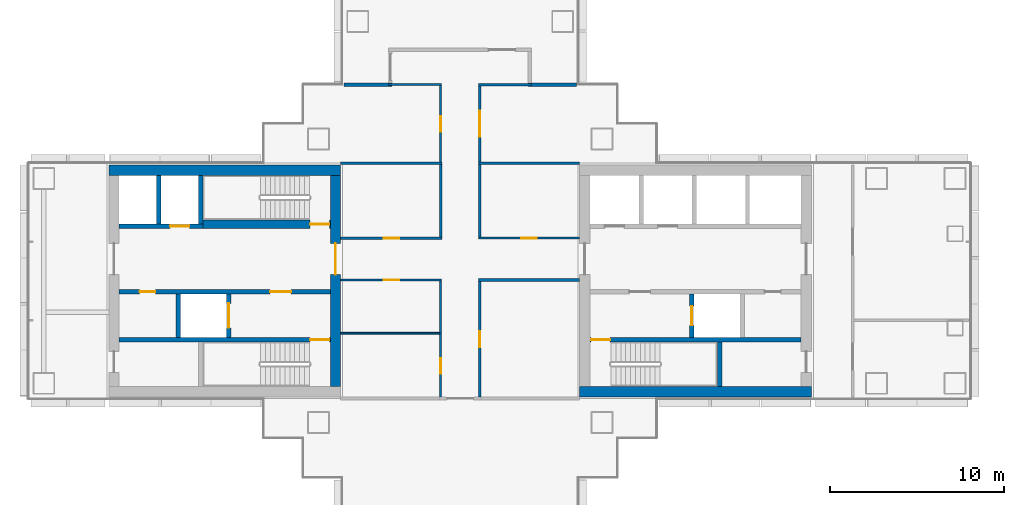
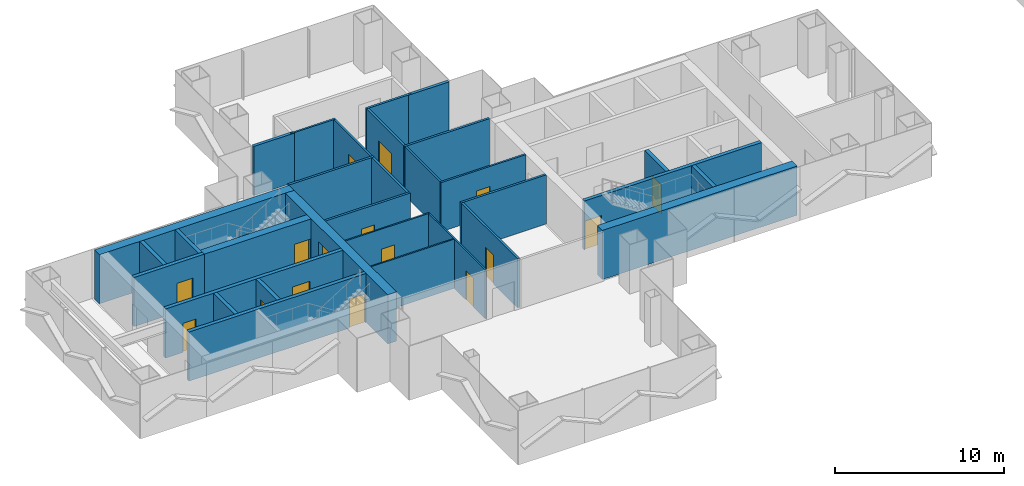
# One storey, part 11 of 19: 31 walls, 16 doors, 16 openings.
"""IFC4 building model written with IfcOpenShell, lengths in metres."""

from ifc_helpers import new_model, si_unit, direction, frame, frame_2d, origin, place, context, subcontext, project, spatial, rectangle, extrude, material, layer, layer_set, type_object, element, fill, save


model = new_model("IFC4")

# Units and contexts
model_context = context("Model", 3, precision=1e-05, world=origin(), true_north=direction((0.0, 1.0)))
body_context = subcontext(model_context, "Body", "Model", "MODEL_VIEW")
ifc_project = project(units=[si_unit("LENGTHUNIT", "METRE"), si_unit("AREAUNIT", "SQUARE_METRE"), si_unit("VOLUMEUNIT", "CUBIC_METRE"), si_unit("PLANEANGLEUNIT", "RADIAN"), si_unit("MASSUNIT", "GRAM", prefix="KILO")], contexts=[model_context])

# Site, building, storey
site_placement = place(None, origin())
site = spatial("IfcSite", under=ifc_project, at=site_placement, CompositionType="ELEMENT")
building_placement = place(site_placement, origin())
building = spatial("IfcBuilding", under=site, at=building_placement, Name="Shamsa Quay Exchange Towers", CompositionType="ELEMENT")
storey_placement = place(building_placement, frame((0.0, 0.0, 89.699951171875)))
storey = spatial("IfcBuildingStorey", under=building, at=storey_placement, Name="L20", CompositionType="ELEMENT", Elevation=89.699951171875)

# Walls
ifc_material_1 = material(Name="Double-leaf gypsum board partition with acoustic insulation")
ifc_layer_1 = layer(ifc_material_1, 0.199951171875)
ifc_layer_set_1 = layer_set([ifc_layer_1], Name="Acoustic partition 200 mm EI 60")
wall_type_1 = type_object("IfcWallType", Name="Acoustic partition 200 mm EI 60", PredefinedType="PARTITIONING", material=ifc_layer_set_1)
for number, where, z_axis, x_axis, name in (
    (1, (-27.094970703125, 11.25, 0.0), (0.0, 0.0, 1.0), (-1.0, 0.0, 0.0), "Partition T1-R09-W23"),
    (2, (-37.64990234375, 11.25, 0.0), (0.0, 0.0, 1.0), (-1.0, 0.0, 0.0), "Partition T1-R09-W24"),
):
    element("IfcWall", number, at=place(storey_placement, frame(where, z_axis=z_axis, x_axis=x_axis)), inside=storey, type_object=wall_type_1, Name=name, PredefinedType="PARTITIONING", context=body_context, shape_type="SweptSolid", body=[
        extrude(rectangle(XDim=2.755126953125, YDim=0.199951171875, at=frame_2d((1.37744140625, 0.0))), origin(), (0.0, 0.0, 1.0), 3.550048828125),
    ])
ifc_material_2 = material(Name="Concrete C70/85", Category="concrete")
ifc_layer_2 = layer(ifc_material_2, 0.60009765625)
ifc_layer_set_2 = layer_set([ifc_layer_2], Name="CORE WALL 600 C70/85")
wall_type_2 = type_object("IfcWallType", Name="CORE WALL 600 C70/85", PredefinedType="SHEAR", material=ifc_layer_set_2)
wall_1_placement = place(storey_placement, frame((-26.89990234375, -6.35009765625, 0.0)))
element("IfcWall", 3, at=wall_1_placement, inside=storey, type_object=wall_type_2, Name="Core wall T1A-R09-PS", PredefinedType="SHEAR", context=body_context, shape_type="SweptSolid", body=[
    extrude(rectangle(XDim=13.2998046875, YDim=0.60009765625, at=frame_2d((6.64990234375, 0.0))), origin(), (0.0, 0.0, 1.0), 3.550048828125),
])
wall_2_placement = place(storey_placement, frame((-40.60009765625, 6.35009765625, 0.0), z_axis=(0.0, 0.0, 1.0), x_axis=(-1.0, 0.0, 0.0)))
element("IfcWall", 4, at=wall_2_placement, inside=storey, type_object=wall_type_2, Name="Core wall T1B-R09-PN", PredefinedType="SHEAR", context=body_context, shape_type="SweptSolid", body=[
    extrude(rectangle(XDim=13.2998046875, YDim=0.60009765625, at=frame_2d((6.64990234375, 0.0))), origin(), (0.0, 0.0, 1.0), 3.550048828125),
])

# Wall, opening, door
wall_3_placement = place(storey_placement, frame((-40.89990234375, -6.050048828125, 0.0), z_axis=(0.0, 0.0, 1.0), x_axis=(0.0, 1.0, 0.0)))
wall_3 = element("IfcWall", 5, at=wall_3_placement, inside=storey, type_object=wall_type_2, Name="Core wall T1B-R09-PF", PredefinedType="SHEAR", context=body_context, shape_type="SweptSolid", body=[
    extrude(rectangle(XDim=12.10009765625, YDim=0.60009765625, at=frame_2d((6.050048828125, 0.0))), origin(), (0.0, 0.0, 1.0), 3.550048828125),
])
opening_1_placement = place(wall_3_placement, frame((6.39990234375, 0.0, 0.0)))
opening_1 = element("IfcOpeningElement", 6, at=opening_1_placement, cuts=wall_3, Name="Opening T1B-R09-LBD01", PredefinedType="OPENING", context=body_context, shape_type="SweptSolid", body=[
    extrude(rectangle(XDim=1.800048828125, YDim=2.39990234375, at=frame_2d((0.89990234375, 1.199951171875))), frame((0.0, 0.31005859375, 0.0), z_axis=(0.0, -1.0, 0.0), x_axis=(1.0, 0.0, 0.0)), (0.0, 0.0, 1.0), 0.6201171875),
])
ifc_material_3 = material(Name="Steel, fire rated", Category="steel")
door_type_1 = type_object("IfcDoorType", Name="LIFT LOBBY DOOR PAIR 1800", OperationType="DOUBLE_DOOR_SINGLE_SWING", PredefinedType="DOOR", material=ifc_material_3)
door_1_placement = place(opening_1_placement, origin())
door_1 = element("IfcDoor", 7, at=door_1_placement, inside=storey, type_object=door_type_1, Name="T1B-R09-LBD01", OperationType="DOUBLE_DOOR_SINGLE_SWING", OverallHeight=2.39990234375, OverallWidth=1.800048828125, PredefinedType="DOOR", context=body_context, shape_type="SweptSolid", body=[
    extrude(rectangle(XDim=1.800048828125, YDim=2.39990234375, at=frame_2d((0.89990234375, 1.199951171875))), frame((0.0, 0.02490234375, 0.0), z_axis=(0.0, -1.0, 0.0), x_axis=(1.0, 0.0, 0.0)), (0.0, 0.0, 1.0), 0.050048828125),
])
fill(opening_1, door_1)

# Wall
ifc_material_4 = material(Name="Laminated fire-resisting glass in a metal frame", Category="glass")
ifc_layer_3 = layer(ifc_material_4, 0.125)
ifc_layer_set_3 = layer_set([ifc_layer_3], Name="Glazed partition 125 mm EI 60")
wall_type_3 = type_object("IfcWallType", Name="Glazed partition 125 mm EI 60", PredefinedType="PARTITIONING", material=ifc_layer_set_3)
wall_4_placement = place(storey_placement, frame((-32.625, 6.675048828125, 0.0), z_axis=(0.0, 0.0, 1.0), x_axis=(0.0, -1.0, 0.0)))
element("IfcWall", 8, at=wall_4_placement, inside=storey, type_object=wall_type_3, Name="Partition T1-R09-W01", PredefinedType="PARTITIONING", context=body_context, shape_type="SweptSolid", body=[
    extrude(rectangle(XDim=4.162353515625, YDim=0.125, at=frame_2d((2.0810546875, 0.0))), origin(), (0.0, 0.0, 1.0), 3.550048828125),
])

# Wall, opening, door
wall_5_placement = place(storey_placement, frame((-32.6875, 2.4501953125, 0.0)))
wall_5 = element("IfcWall", 9, at=wall_5_placement, inside=storey, type_object=wall_type_3, Name="Partition T1-R09-W02", PredefinedType="PARTITIONING", context=body_context, shape_type="SweptSolid", body=[
    extrude(rectangle(XDim=5.78759765625, YDim=0.125, at=frame_2d((2.893798828125, 0.0))), origin(), (0.0, 0.0, 1.0), 3.550048828125),
])
opening_2_placement = place(wall_5_placement, frame((2.425048828125, 0.0, 0.0)))
opening_2 = element("IfcOpeningElement", 10, at=opening_2_placement, cuts=wall_5, Name="Opening T1-R09-D08", PredefinedType="OPENING", context=body_context, shape_type="SweptSolid", body=[
    extrude(rectangle(XDim=0.89990234375, YDim=2.10009765625, at=frame_2d((0.449951171875, 1.050048828125))), frame((0.0, 0.072509765625, 0.0), z_axis=(0.0, -1.0, 0.0), x_axis=(1.0, 0.0, 0.0)), (0.0, 0.0, 1.0), 0.14501953125),
])
ifc_material_5 = material(Name="Timber door leaf in a metal frame", Category="wood")
door_type_2 = type_object("IfcDoorType", Name="Door 900x2100 FD30S", OperationType="NOTDEFINED", PredefinedType="DOOR", material=ifc_material_5)
door_2_placement = place(opening_2_placement, origin())
door_2 = element("IfcDoor", 11, at=door_2_placement, inside=storey, type_object=door_type_2, Name="Door T1-R09-D08", OperationType="SINGLE_SWING_RIGHT", OverallHeight=2.10009765625, OverallWidth=0.89990234375, PredefinedType="DOOR", context=body_context, shape_type="SweptSolid", body=[
    extrude(rectangle(XDim=0.89990234375, YDim=2.10009765625, at=frame_2d((0.449951171875, 1.050048828125))), frame((0.0, 0.02490234375, 0.0), z_axis=(0.0, -1.0, 0.0), x_axis=(1.0, 0.0, 0.0)), (0.0, 0.0, 1.0), 0.050048828125),
])
fill(opening_2, door_2)

wall_6_placement = place(storey_placement, frame((-34.875, 6.824951171875, 0.0), z_axis=(0.0, 0.0, 1.0), x_axis=(0.0, 1.0, 0.0)))
wall_6 = element("IfcWall", 12, at=wall_6_placement, inside=storey, type_object=wall_type_3, Name="Partition T1-R09-W11", PredefinedType="PARTITIONING", context=body_context, shape_type="SweptSolid", body=[
    extrude(rectangle(XDim=4.362548828125, YDim=0.125, at=frame_2d((2.18115234375, 0.0))), origin(), (0.0, 0.0, 1.0), 3.550048828125),
])
opening_3_placement = place(wall_6_placement, frame((1.72509765625, 0.0, 0.0)))
opening_3 = element("IfcOpeningElement", 13, at=opening_3_placement, cuts=wall_6, Name="Opening T1-R09-D05", PredefinedType="OPENING", context=body_context, shape_type="SweptSolid", body=[
    extrude(rectangle(XDim=0.89990234375, YDim=2.10009765625, at=frame_2d((0.449951171875, 1.050048828125))), frame((0.0, 0.072509765625, 0.0), z_axis=(0.0, -1.0, 0.0), x_axis=(1.0, 0.0, 0.0)), (0.0, 0.0, 1.0), 0.14501953125),
])
door_3_placement = place(opening_3_placement, origin())
door_3 = element("IfcDoor", 14, at=door_3_placement, inside=storey, type_object=door_type_2, Name="Door T1-R09-D05", OperationType="SINGLE_SWING_LEFT", OverallHeight=2.10009765625, OverallWidth=0.89990234375, PredefinedType="DOOR", context=body_context, shape_type="SweptSolid", body=[
    extrude(rectangle(XDim=0.89990234375, YDim=2.10009765625, at=frame_2d((0.449951171875, 1.050048828125))), frame((0.0, 0.02490234375, 0.0), z_axis=(0.0, -1.0, 0.0), x_axis=(1.0, 0.0, 0.0)), (0.0, 0.0, 1.0), 0.050048828125),
])
fill(opening_3, door_3)

# Wall
wall_7_placement = place(storey_placement, frame((-34.8125, 11.25, 0.0), z_axis=(0.0, 0.0, 1.0), x_axis=(-1.0, 0.0, 0.0)))
element("IfcWall", 15, at=wall_7_placement, inside=storey, type_object=wall_type_3, Name="Partition T1-R09-W12", PredefinedType="PARTITIONING", context=body_context, shape_type="SweptSolid", body=[
    extrude(rectangle(XDim=3.03759765625, YDim=0.125, at=frame_2d((1.518798828125, 0.0))), origin(), (0.0, 0.0, 1.0), 3.550048828125),
])

# Wall, opening, door
ifc_material_6 = material(Name="Gypsum board partition on metal studs")
ifc_layer_4 = layer(ifc_material_6, 0.10009765625)
ifc_layer_set_4 = layer_set([ifc_layer_4], Name="Partition 100 mm NOT RATED")
wall_type_4 = type_object("IfcWallType", Name="Partition 100 mm NOT RATED", PredefinedType="PARTITIONING", material=ifc_layer_set_4)
wall_8_placement = place(storey_placement, frame((-34.875, -6.675048828125, 0.0), z_axis=(0.0, 0.0, 1.0), x_axis=(0.0, 1.0, 0.0)))
wall_8 = element("IfcWall", 16, at=wall_8_placement, inside=storey, type_object=wall_type_4, Name="Partition T1-R09-W08", PredefinedType="PARTITIONING", context=body_context, shape_type="SweptSolid", body=[
    extrude(rectangle(XDim=6.6748046875, YDim=0.10009765625, at=frame_2d((3.33740234375, 0.0))), origin(), (0.0, 0.0, 1.0), 3.550048828125),
])
opening_4_placement = place(wall_8_placement, frame((1.35009765625, 0.0, 0.0)))
opening_4 = element("IfcOpeningElement", 17, at=opening_4_placement, cuts=wall_8, Name="Opening T1-R09-D03", PredefinedType="OPENING", context=body_context, shape_type="SweptSolid", body=[
    extrude(rectangle(XDim=0.89990234375, YDim=2.10009765625, at=frame_2d((0.449951171875, 1.050048828125))), frame((0.0, 0.06005859375, 0.0), z_axis=(0.0, -1.0, 0.0), x_axis=(1.0, 0.0, 0.0)), (0.0, 0.0, 1.0), 0.1201171875),
])
door_type_3 = type_object("IfcDoorType", Name="Door 900x2100 NOT RATED", OperationType="NOTDEFINED", PredefinedType="DOOR", material=ifc_material_5)
door_4_placement = place(opening_4_placement, origin())
door_4 = element("IfcDoor", 18, at=door_4_placement, inside=storey, type_object=door_type_3, Name="Door T1-R09-D03", OperationType="SINGLE_SWING_RIGHT", OverallHeight=2.10009765625, OverallWidth=0.89990234375, PredefinedType="DOOR", context=body_context, shape_type="SweptSolid", body=[
    extrude(rectangle(XDim=0.89990234375, YDim=2.10009765625, at=frame_2d((0.449951171875, 1.050048828125))), frame((0.0, 0.02490234375, 0.0), z_axis=(0.0, -1.0, 0.0), x_axis=(1.0, 0.0, 0.0)), (0.0, 0.0, 1.0), 0.050048828125),
])
fill(opening_4, door_4)

wall_9_placement = place(storey_placement, frame((-34.824951171875, 0.0498046875, 0.0), z_axis=(0.0, 0.0, 1.0), x_axis=(-1.0, 0.0, 0.0)))
wall_9 = element("IfcWall", 19, at=wall_9_placement, inside=storey, type_object=wall_type_4, Name="Partition T1-R09-W09", PredefinedType="PARTITIONING", context=body_context, shape_type="SweptSolid", body=[
    extrude(rectangle(XDim=5.775146484375, YDim=0.10009765625, at=frame_2d((2.8876953125, 0.0))), origin(), (0.0, 0.0, 1.0), 3.550048828125),
])
opening_5_placement = place(wall_9_placement, frame((2.41259765625, 0.0, 0.0)))
opening_5 = element("IfcOpeningElement", 20, at=opening_5_placement, cuts=wall_9, Name="Opening T1-R09-D04", PredefinedType="OPENING", context=body_context, shape_type="SweptSolid", body=[
    extrude(rectangle(XDim=0.89990234375, YDim=2.10009765625, at=frame_2d((0.449951171875, 1.050048828125))), frame((0.0, 0.06005859375, 0.0), z_axis=(0.0, -1.0, 0.0), x_axis=(1.0, 0.0, 0.0)), (0.0, 0.0, 1.0), 0.1201171875),
])
door_5_placement = place(opening_5_placement, origin())
door_5 = element("IfcDoor", 21, at=door_5_placement, inside=storey, type_object=door_type_3, Name="Door T1-R09-D04", OperationType="SINGLE_SWING_LEFT", OverallHeight=2.10009765625, OverallWidth=0.89990234375, PredefinedType="DOOR", context=body_context, shape_type="SweptSolid", body=[
    extrude(rectangle(XDim=0.89990234375, YDim=2.10009765625, at=frame_2d((0.449951171875, 1.050048828125))), frame((0.0, 0.02490234375, 0.0), z_axis=(0.0, -1.0, 0.0), x_axis=(1.0, 0.0, 0.0)), (0.0, 0.0, 1.0), 0.050048828125),
])
fill(opening_5, door_5)

# Walls
wall_10_placement = place(storey_placement, frame((-34.925048828125, -3.0, 0.0), z_axis=(0.0, 0.0, 1.0), x_axis=(-1.0, 0.0, 0.0)))
element("IfcWall", 22, at=wall_10_placement, inside=storey, type_object=wall_type_4, Name="Partition T1-R09-W22", PredefinedType="PARTITIONING", context=body_context, shape_type="SweptSolid", body=[
    extrude(rectangle(XDim=5.675048828125, YDim=0.10009765625, at=frame_2d((2.83740234375, 0.0))), origin(), (0.0, 0.0, 1.0), 3.550048828125),
])
ifc_layer_5 = layer(ifc_material_6, 0.14990234375)
ifc_layer_set_5 = layer_set([ifc_layer_5], Name="Partition 150 mm EI 60")
wall_type_5 = type_object("IfcWallType", Name="Partition 150 mm EI 60", PredefinedType="PARTITIONING", material=ifc_layer_set_5)
wall_11_placement = place(storey_placement, frame((-26.89990234375, 0.0498046875, 0.0), z_axis=(0.0, 0.0, 1.0), x_axis=(-1.0, 0.0, 0.0)))
element("IfcWall", 23, at=wall_11_placement, inside=storey, type_object=wall_type_5, Name="Partition T1-R09-W03", PredefinedType="PARTITIONING", context=body_context, shape_type="SweptSolid", body=[
    extrude(rectangle(XDim=5.800048828125, YDim=0.14990234375, at=frame_2d((2.89990234375, 0.0))), origin(), (0.0, 0.0, 1.0), 3.550048828125),
])

# Wall, opening, door
wall_12_placement = place(storey_placement, frame((-32.625, 11.175048828125, 0.0), z_axis=(0.0, 0.0, 1.0), x_axis=(0.0, -1.0, 0.0)))
wall_12 = element("IfcWall", 24, at=wall_12_placement, inside=storey, type_object=wall_type_5, Name="Partition T1-R09-W04", PredefinedType="PARTITIONING", context=body_context, shape_type="SweptSolid", body=[
    extrude(rectangle(XDim=4.35009765625, YDim=0.14990234375, at=frame_2d((2.175048828125, 0.0))), origin(), (0.0, 0.0, 1.0), 3.550048828125),
])
opening_6_placement = place(wall_12_placement, frame((1.425048828125, 0.0, 0.0)))
opening_6 = element("IfcOpeningElement", 25, at=opening_6_placement, cuts=wall_12, Name="Opening T1-R09-D09", PredefinedType="OPENING", context=body_context, shape_type="SweptSolid", body=[
    extrude(rectangle(XDim=1.5, YDim=2.10009765625, at=frame_2d((0.75, 1.050048828125))), frame((0.0, 0.0849609375, 0.0), z_axis=(0.0, -1.0, 0.0), x_axis=(1.0, 0.0, 0.0)), (0.0, 0.0, 1.0), 0.169921875),
])
door_type_4 = type_object("IfcDoorType", Name="Door 1500x2100 FD30S pair", OperationType="NOTDEFINED", PredefinedType="DOOR", material=ifc_material_5)
door_6_placement = place(opening_6_placement, origin())
door_6 = element("IfcDoor", 26, at=door_6_placement, inside=storey, type_object=door_type_4, Name="Door T1-R09-D09", OperationType="DOUBLE_DOOR_SINGLE_SWING", OverallHeight=2.10009765625, OverallWidth=1.5, PredefinedType="DOOR", context=body_context, shape_type="SweptSolid", body=[
    extrude(rectangle(XDim=1.5, YDim=2.10009765625, at=frame_2d((0.75, 1.050048828125))), frame((0.0, 0.02490234375, 0.0), z_axis=(0.0, -1.0, 0.0), x_axis=(1.0, 0.0, 0.0)), (0.0, 0.0, 1.0), 0.050048828125),
])
fill(opening_6, door_6)

wall_13_placement = place(storey_placement, frame((-32.625, -0.025146484375, 0.0), z_axis=(0.0, 0.0, 1.0), x_axis=(0.0, -1.0, 0.0)))
wall_13 = element("IfcWall", 27, at=wall_13_placement, inside=storey, type_object=wall_type_5, Name="Partition T1-R09-W05", PredefinedType="PARTITIONING", context=body_context, shape_type="SweptSolid", body=[
    extrude(rectangle(XDim=6.64990234375, YDim=0.14990234375, at=frame_2d((3.324951171875, 0.0))), origin(), (0.0, 0.0, 1.0), 3.550048828125),
])
opening_7_placement = place(wall_13_placement, frame((2.875, 0.0, 0.0)))
opening_7 = element("IfcOpeningElement", 28, at=opening_7_placement, cuts=wall_13, Name="Opening T1-R09-D07", PredefinedType="OPENING", context=body_context, shape_type="SweptSolid", body=[
    extrude(rectangle(XDim=0.89990234375, YDim=2.10009765625, at=frame_2d((0.449951171875, 1.050048828125))), frame((0.0, 0.0849609375, 0.0), z_axis=(0.0, -1.0, 0.0), x_axis=(1.0, 0.0, 0.0)), (0.0, 0.0, 1.0), 0.169921875),
])
door_7_placement = place(opening_7_placement, origin())
door_7 = element("IfcDoor", 29, at=door_7_placement, inside=storey, type_object=door_type_2, Name="Door T1-R09-D07", OperationType="SINGLE_SWING_LEFT", OverallHeight=2.10009765625, OverallWidth=0.89990234375, PredefinedType="DOOR", context=body_context, shape_type="SweptSolid", body=[
    extrude(rectangle(XDim=0.89990234375, YDim=2.10009765625, at=frame_2d((0.449951171875, 1.050048828125))), frame((0.0, 0.02490234375, 0.0), z_axis=(0.0, -1.0, 0.0), x_axis=(1.0, 0.0, 0.0)), (0.0, 0.0, 1.0), 0.050048828125),
])
fill(opening_7, door_7)

wall_14_placement = place(storey_placement, frame((-40.60009765625, 2.4501953125, 0.0)))
wall_14 = element("IfcWall", 30, at=wall_14_placement, inside=storey, type_object=wall_type_5, Name="Partition T1-R09-W06", PredefinedType="PARTITIONING", context=body_context, shape_type="SweptSolid", body=[
    extrude(rectangle(XDim=5.800048828125, YDim=0.14990234375, at=frame_2d((2.89990234375, 0.0))), origin(), (0.0, 0.0, 1.0), 3.550048828125),
])
opening_8_placement = place(wall_14_placement, frame((2.46240234375, 0.0, 0.0)))
opening_8 = element("IfcOpeningElement", 31, at=opening_8_placement, cuts=wall_14, Name="Opening T1-R09-D01", PredefinedType="OPENING", context=body_context, shape_type="SweptSolid", body=[
    extrude(rectangle(XDim=0.89990234375, YDim=2.10009765625, at=frame_2d((0.449951171875, 1.050048828125))), frame((0.0, 0.0849609375, 0.0), z_axis=(0.0, -1.0, 0.0), x_axis=(1.0, 0.0, 0.0)), (0.0, 0.0, 1.0), 0.169921875),
])
door_8_placement = place(opening_8_placement, origin())
door_8 = element("IfcDoor", 32, at=door_8_placement, inside=storey, type_object=door_type_2, Name="Door T1-R09-D01", OperationType="SINGLE_SWING_RIGHT", OverallHeight=2.10009765625, OverallWidth=0.89990234375, PredefinedType="DOOR", context=body_context, shape_type="SweptSolid", body=[
    extrude(rectangle(XDim=0.89990234375, YDim=2.10009765625, at=frame_2d((0.449951171875, 1.050048828125))), frame((0.0, 0.02490234375, 0.0), z_axis=(0.0, -1.0, 0.0), x_axis=(1.0, 0.0, 0.0)), (0.0, 0.0, 1.0), 0.050048828125),
])
fill(opening_8, door_8)

# Walls
wall_15_placement = place(storey_placement, frame((-34.875, 2.525146484375, 0.0), z_axis=(0.0, 0.0, 1.0), x_axis=(0.0, 1.0, 0.0)))
element("IfcWall", 33, at=wall_15_placement, inside=storey, type_object=wall_type_5, Name="Partition T1-R09-W07", PredefinedType="PARTITIONING", context=body_context, shape_type="SweptSolid", body=[
    extrude(rectangle(XDim=4.14990234375, YDim=0.14990234375, at=frame_2d((2.074951171875, 0.0))), origin(), (0.0, 0.0, 1.0), 3.550048828125),
])
wall_16_placement = place(storey_placement, frame((-29.64990234375, 11.25, 0.0), z_axis=(0.0, 0.0, 1.0), x_axis=(-1.0, 0.0, 0.0)))
element("IfcWall", 34, at=wall_16_placement, inside=storey, type_object=wall_type_5, Name="Partition T1-R09-W10", PredefinedType="PARTITIONING", context=body_context, shape_type="SweptSolid", body=[
    extrude(rectangle(XDim=3.050048828125, YDim=0.14990234375, at=frame_2d((1.52490234375, 0.0))), origin(), (0.0, 0.0, 1.0), 3.550048828125),
])
for number, where, z_axis, x_axis, name in (
    (35, (-26.89990234375, 6.75, 0.0), (0.0, 0.0, 1.0), (-1.0, 0.0, 0.0), "Partition T1-R09-W18"),
    (36, (-34.800048828125, 6.75, 0.0), (0.0, 0.0, 1.0), (-1.0, 0.0, 0.0), "Partition T1-R09-W19"),
):
    element("IfcWall", number, at=place(storey_placement, frame(where, z_axis=z_axis, x_axis=x_axis)), inside=storey, type_object=wall_type_5, Name=name, PredefinedType="PARTITIONING", context=body_context, shape_type="SweptSolid", body=[
        extrude(rectangle(XDim=5.800048828125, YDim=0.14990234375, at=frame_2d((2.89990234375, 0.0))), origin(), (0.0, 0.0, 1.0), 3.550048828125),
    ])

# Wall, opening, door
ifc_material_7 = material(Name="Concrete C50/60", Category="concrete")
ifc_layer_6 = layer(ifc_material_7, 0.25)
ifc_layer_set_6 = layer_set([ifc_layer_6], Name="SHAFT WALL 250 C50/60")
wall_type_6 = type_object("IfcWallType", Name="SHAFT WALL 250 C50/60", PredefinedType="SHEAR", material=ifc_layer_set_6)
wall_17_placement = place(storey_placement, frame((-14.199951171875, -3.375, 0.0), z_axis=(0.0, 0.0, 1.0), x_axis=(-1.0, 0.0, 0.0)))
wall_17 = element("IfcWall", 37, at=wall_17_placement, inside=storey, type_object=wall_type_6, Name="Shaft wall T1A-R09-STL", PredefinedType="SHEAR", context=body_context, shape_type="SweptSolid", body=[
    extrude(rectangle(XDim=12.10009765625, YDim=0.25, at=frame_2d((6.050048828125, 0.0))), origin(), (0.0, 0.0, 1.0), 3.550048828125),
])
opening_9_placement = place(wall_17_placement, frame((10.949951171875, 0.0, 0.0)))
opening_9 = element("IfcOpeningElement", 38, at=opening_9_placement, cuts=wall_17, Name="Opening T1A-R09-SD04", PredefinedType="OPENING", context=body_context, shape_type="SweptSolid", body=[
    extrude(rectangle(XDim=1.10009765625, YDim=2.10009765625, at=frame_2d((0.550048828125, 1.050048828125))), frame((0.0, 0.135009765625, 0.0), z_axis=(0.0, -1.0, 0.0), x_axis=(1.0, 0.0, 0.0)), (0.0, 0.0, 1.0), 0.27001953125),
])
door_type_5 = type_object("IfcDoorType", Name="STAIR DOOR 1100", OperationType="SINGLE_SWING_LEFT", PredefinedType="DOOR", material=ifc_material_3)
door_9_placement = place(opening_9_placement, origin())
door_9 = element("IfcDoor", 39, at=door_9_placement, inside=storey, type_object=door_type_5, Name="T1A-R09-SD04", OperationType="SINGLE_SWING_RIGHT", OverallHeight=2.10009765625, OverallWidth=1.10009765625, PredefinedType="DOOR", context=body_context, shape_type="SweptSolid", body=[
    extrude(rectangle(XDim=1.10009765625, YDim=2.10009765625, at=frame_2d((0.550048828125, 1.050048828125))), frame((0.0, 0.02490234375, 0.0), z_axis=(0.0, -1.0, 0.0), x_axis=(1.0, 0.0, 0.0)), (0.0, 0.0, 1.0), 0.050048828125),
])
fill(opening_9, door_9)

# Wall
wall_18_placement = place(storey_placement, frame((-18.875, -6.050048828125, 0.0), z_axis=(0.0, 0.0, 1.0), x_axis=(0.0, 1.0, 0.0)))
element("IfcWall", 40, at=wall_18_placement, inside=storey, type_object=wall_type_6, Name="Shaft wall T1A-R09-STF", PredefinedType="SHEAR", context=body_context, shape_type="SweptSolid", body=[
    extrude(rectangle(XDim=2.550048828125, YDim=0.25, at=frame_2d((1.27490234375, 0.0))), origin(), (0.0, 0.0, 1.0), 3.550048828125),
])

# Wall, opening, door
wall_19_placement = place(storey_placement, frame((-20.47509765625, -3.25, 0.0), z_axis=(0.0, 0.0, 1.0), x_axis=(0.0, 1.0, 0.0)))
wall_19 = element("IfcWall", 41, at=wall_19_placement, inside=storey, type_object=wall_type_6, Name="Shaft wall T1A-R09-FFF", PredefinedType="SHEAR", context=body_context, shape_type="SweptSolid", body=[
    extrude(rectangle(XDim=2.5, YDim=0.25, at=frame_2d((1.25, 0.0))), origin(), (0.0, 0.0, 1.0), 3.550048828125),
])
opening_10_placement = place(wall_19_placement, frame((0.699951171875, 0.0, 0.0)))
opening_10 = element("IfcOpeningElement", 42, at=opening_10_placement, cuts=wall_19, Name="Opening T1A-R09-LDF07", PredefinedType="OPENING", context=body_context, shape_type="SweptSolid", body=[
    extrude(rectangle(XDim=1.10009765625, YDim=2.10009765625, at=frame_2d((0.550048828125, 1.050048828125))), frame((0.0, 0.135009765625, 0.0), z_axis=(0.0, -1.0, 0.0), x_axis=(1.0, 0.0, 0.0)), (0.0, 0.0, 1.0), 0.27001953125),
])
door_type_6 = type_object("IfcDoorType", Name="FIRE SERVICE LANDING DOOR 1100", OperationType="SLIDING_TO_LEFT", PredefinedType="DOOR", material=ifc_material_3)
door_10_placement = place(opening_10_placement, origin())
door_10 = element("IfcDoor", 43, at=door_10_placement, inside=storey, type_object=door_type_6, Name="T1A-R09-LDF07", OperationType="SLIDING_TO_LEFT", OverallHeight=2.10009765625, OverallWidth=1.10009765625, PredefinedType="DOOR", context=body_context, shape_type="SweptSolid", body=[
    extrude(rectangle(XDim=1.10009765625, YDim=2.10009765625, at=frame_2d((0.550048828125, 1.050048828125))), frame((0.0, 0.02490234375, 0.0), z_axis=(0.0, -1.0, 0.0), x_axis=(1.0, 0.0, 0.0)), (0.0, 0.0, 1.0), 0.050048828125),
])
fill(opening_10, door_10)

wall_20_placement = place(storey_placement, frame((-41.199951171875, -3.375, 0.0), z_axis=(0.0, 0.0, 1.0), x_axis=(-1.0, 0.0, 0.0)))
wall_20 = element("IfcWall", 44, at=wall_20_placement, inside=storey, type_object=wall_type_6, Name="Shaft wall T1B-R09-STL", PredefinedType="SHEAR", context=body_context, shape_type="SweptSolid", body=[
    extrude(rectangle(XDim=12.10009765625, YDim=0.25, at=frame_2d((6.050048828125, 0.0))), origin(), (0.0, 0.0, 1.0), 3.550048828125),
])
opening_11_placement = place(wall_20_placement, frame((0.050048828125, 0.0, 0.0)))
opening_11 = element("IfcOpeningElement", 45, at=opening_11_placement, cuts=wall_20, Name="Opening T1B-R09-SD04", PredefinedType="OPENING", context=body_context, shape_type="SweptSolid", body=[
    extrude(rectangle(XDim=1.10009765625, YDim=2.10009765625, at=frame_2d((0.550048828125, 1.050048828125))), frame((0.0, 0.135009765625, 0.0), z_axis=(0.0, -1.0, 0.0), x_axis=(1.0, 0.0, 0.0)), (0.0, 0.0, 1.0), 0.27001953125),
])
door_11_placement = place(opening_11_placement, origin())
door_11 = element("IfcDoor", 46, at=door_11_placement, inside=storey, type_object=door_type_5, Name="T1B-R09-SD04", OperationType="SINGLE_SWING_LEFT", OverallHeight=2.10009765625, OverallWidth=1.10009765625, PredefinedType="DOOR", context=body_context, shape_type="SweptSolid", body=[
    extrude(rectangle(XDim=1.10009765625, YDim=2.10009765625, at=frame_2d((0.550048828125, 1.050048828125))), frame((0.0, 0.02490234375, 0.0), z_axis=(0.0, -1.0, 0.0), x_axis=(1.0, 0.0, 0.0)), (0.0, 0.0, 1.0), 0.050048828125),
])
fill(opening_11, door_11)

# Wall, openings, doors
wall_21_placement = place(storey_placement, frame((-41.199951171875, -0.625, 0.0), z_axis=(0.0, 0.0, 1.0), x_axis=(-1.0, 0.0, 0.0)))
wall_21 = element("IfcWall", 47, at=wall_21_placement, inside=storey, type_object=wall_type_6, Name="Shaft wall T1B-R09-B", PredefinedType="SHEAR", context=body_context, shape_type="SweptSolid", body=[
    extrude(rectangle(XDim=12.10009765625, YDim=0.25, at=frame_2d((6.050048828125, 0.0))), origin(), (0.0, 0.0, 1.0), 3.550048828125),
])
opening_12_placement = place(wall_21_placement, frame((2.25, 0.0, 0.0)))
opening_12 = element("IfcOpeningElement", 48, at=opening_12_placement, cuts=wall_21, Name="Opening T1B-R09-FD05", PredefinedType="OPENING", context=body_context, shape_type="SweptSolid", body=[
    extrude(rectangle(XDim=1.199951171875, YDim=2.10009765625, at=frame_2d((0.60009765625, 1.050048828125))), frame((0.0, 0.135009765625, 0.0), z_axis=(0.0, -1.0, 0.0), x_axis=(1.0, 0.0, 0.0)), (0.0, 0.0, 1.0), 0.27001953125),
])
opening_13_placement = place(wall_21_placement, frame((10.02490234375, 0.0, 0.0)))
opening_13 = element("IfcOpeningElement", 49, at=opening_13_placement, cuts=wall_21, Name="Opening T1B-R09-SV06", PredefinedType="OPENING", context=body_context, shape_type="SweptSolid", body=[
    extrude(rectangle(XDim=0.89990234375, YDim=2.10009765625, at=frame_2d((0.449951171875, 1.050048828125))), frame((0.0, 0.135009765625, 0.0), z_axis=(0.0, -1.0, 0.0), x_axis=(1.0, 0.0, 0.0)), (0.0, 0.0, 1.0), 0.27001953125),
])
door_type_7 = type_object("IfcDoorType", Name="FIRE SERVICE LOBBY DOOR 1200", OperationType="SINGLE_SWING_LEFT", PredefinedType="DOOR", material=ifc_material_3)
door_12_placement = place(opening_12_placement, origin())
door_12 = element("IfcDoor", 50, at=door_12_placement, inside=storey, type_object=door_type_7, Name="T1B-R09-FD05", OperationType="SINGLE_SWING_LEFT", OverallHeight=2.10009765625, OverallWidth=1.199951171875, PredefinedType="DOOR", context=body_context, shape_type="SweptSolid", body=[
    extrude(rectangle(XDim=1.199951171875, YDim=2.10009765625, at=frame_2d((0.60009765625, 1.050048828125))), frame((0.0, 0.02490234375, 0.0), z_axis=(0.0, -1.0, 0.0), x_axis=(1.0, 0.0, 0.0)), (0.0, 0.0, 1.0), 0.050048828125),
])
fill(opening_12, door_12)
door_type_8 = type_object("IfcDoorType", Name="SERVICE ROOM DOOR 900", OperationType="SINGLE_SWING_LEFT", PredefinedType="DOOR", material=ifc_material_3)
door_13_placement = place(opening_13_placement, origin())
door_13 = element("IfcDoor", 51, at=door_13_placement, inside=storey, type_object=door_type_8, Name="T1B-R09-SV06", OperationType="SINGLE_SWING_RIGHT", OverallHeight=2.10009765625, OverallWidth=0.89990234375, PredefinedType="DOOR", context=body_context, shape_type="SweptSolid", body=[
    extrude(rectangle(XDim=0.89990234375, YDim=2.10009765625, at=frame_2d((0.449951171875, 1.050048828125))), frame((0.0, 0.02490234375, 0.0), z_axis=(0.0, -1.0, 0.0), x_axis=(1.0, 0.0, 0.0)), (0.0, 0.0, 1.0), 0.050048828125),
])
fill(opening_13, door_13)

# Wall, opening, door
wall_22_placement = place(storey_placement, frame((-47.02490234375, -3.25, 0.0), z_axis=(0.0, 0.0, 1.0), x_axis=(0.0, 1.0, 0.0)))
wall_22 = element("IfcWall", 52, at=wall_22_placement, inside=storey, type_object=wall_type_6, Name="Shaft wall T1B-R09-FFF", PredefinedType="SHEAR", context=body_context, shape_type="SweptSolid", body=[
    extrude(rectangle(XDim=2.5, YDim=0.25, at=frame_2d((1.25, 0.0))), origin(), (0.0, 0.0, 1.0), 3.550048828125),
])
opening_14_placement = place(wall_22_placement, frame((0.550048828125, 0.0, 0.0)))
opening_14 = element("IfcOpeningElement", 53, at=opening_14_placement, cuts=wall_22, Name="Opening T1B-R09-LDG07", PredefinedType="OPENING", context=body_context, shape_type="SweptSolid", body=[
    extrude(rectangle(XDim=1.39990234375, YDim=2.39990234375, at=frame_2d((0.699951171875, 1.199951171875))), frame((0.0, 0.135009765625, 0.0), z_axis=(0.0, -1.0, 0.0), x_axis=(1.0, 0.0, 0.0)), (0.0, 0.0, 1.0), 0.27001953125),
])
door_type_9 = type_object("IfcDoorType", Name="GOODS LIFT LANDING DOOR 1400", OperationType="SLIDING_TO_LEFT", PredefinedType="DOOR", material=ifc_material_3)
door_14_placement = place(opening_14_placement, origin())
door_14 = element("IfcDoor", 54, at=door_14_placement, inside=storey, type_object=door_type_9, Name="T1B-R09-LDG07", OperationType="SLIDING_TO_LEFT", OverallHeight=2.39990234375, OverallWidth=1.39990234375, PredefinedType="DOOR", context=body_context, shape_type="SweptSolid", body=[
    extrude(rectangle(XDim=1.39990234375, YDim=2.39990234375, at=frame_2d((0.699951171875, 1.199951171875))), frame((0.0, 0.02490234375, 0.0), z_axis=(0.0, -1.0, 0.0), x_axis=(1.0, 0.0, 0.0)), (0.0, 0.0, 1.0), 0.050048828125),
])
fill(opening_14, door_14)

# Wall
wall_23_placement = place(storey_placement, frame((-49.925048828125, -3.25, 0.0), z_axis=(0.0, 0.0, 1.0), x_axis=(0.0, 1.0, 0.0)))
element("IfcWall", 55, at=wall_23_placement, inside=storey, type_object=wall_type_6, Name="Shaft wall T1B-R09-FFB", PredefinedType="SHEAR", context=body_context, shape_type="SweptSolid", body=[
    extrude(rectangle(XDim=2.5, YDim=0.25, at=frame_2d((1.25, 0.0))), origin(), (0.0, 0.0, 1.0), 3.550048828125),
])

# Wall, opening, door
wall_24_placement = place(storey_placement, frame((-48.5, 3.125, 0.0), z_axis=(0.0, 0.0, 1.0), x_axis=(-1.0, 0.0, 0.0)))
wall_24 = element("IfcWall", 56, at=wall_24_placement, inside=storey, type_object=wall_type_6, Name="Shaft wall T1B-R09-N2", PredefinedType="SHEAR", context=body_context, shape_type="SweptSolid", body=[
    extrude(rectangle(XDim=4.800048828125, YDim=0.25, at=frame_2d((2.39990234375, 0.0))), origin(), (0.0, 0.0, 1.0), 3.550048828125),
])
opening_15_placement = place(wall_24_placement, frame((0.77490234375, 0.0, 0.0)))
opening_15 = element("IfcOpeningElement", 57, at=opening_15_placement, cuts=wall_24, Name="Opening T1B-R09-LD09", PredefinedType="OPENING", context=body_context, shape_type="SweptSolid", body=[
    extrude(rectangle(XDim=1.10009765625, YDim=2.10009765625, at=frame_2d((0.550048828125, 1.050048828125))), frame((0.0, 0.135009765625, 0.0), z_axis=(0.0, -1.0, 0.0), x_axis=(1.0, 0.0, 0.0)), (0.0, 0.0, 1.0), 0.27001953125),
])
door_type_10 = type_object("IfcDoorType", Name="LANDING DOOR 1100", OperationType="SLIDING_TO_LEFT", PredefinedType="DOOR", material=ifc_material_3)
door_15_placement = place(opening_15_placement, origin())
door_15 = element("IfcDoor", 58, at=door_15_placement, inside=storey, type_object=door_type_10, Name="T1B-R09-LD09", OperationType="SLIDING_TO_LEFT", OverallHeight=2.10009765625, OverallWidth=1.10009765625, PredefinedType="DOOR", context=body_context, shape_type="SweptSolid", body=[
    extrude(rectangle(XDim=1.10009765625, YDim=2.10009765625, at=frame_2d((0.550048828125, 1.050048828125))), frame((0.0, 0.02490234375, 0.0), z_axis=(0.0, -1.0, 0.0), x_axis=(1.0, 0.0, 0.0)), (0.0, 0.0, 1.0), 0.050048828125),
])
fill(opening_15, door_15)

# Walls
for number, where, z_axis, x_axis, name in (
    (59, (-48.625, 3.25, 0.0), (0.0, 0.0, 1.0), (0.0, 1.0, 0.0), "Shaft wall T1B-R09-STF2"),
    (60, (-51.02490234375, 3.25, 0.0), (0.0, 0.0, 1.0), (0.0, 1.0, 0.0), "Shaft wall T1B-R09-D0"),
):
    element("IfcWall", number, at=place(storey_placement, frame(where, z_axis=z_axis, x_axis=x_axis)), inside=storey, type_object=wall_type_6, Name=name, PredefinedType="SHEAR", context=body_context, shape_type="SweptSolid", body=[
        extrude(rectangle(XDim=2.800048828125, YDim=0.25, at=frame_2d((1.39990234375, 0.0))), origin(), (0.0, 0.0, 1.0), 3.550048828125),
    ])

# Wall, opening, door
ifc_layer_7 = layer(ifc_material_7, 0.5)
ifc_layer_set_7 = layer_set([ifc_layer_7], Name="SHAFT WALL 500 C50/60")
wall_type_7 = type_object("IfcWallType", Name="SHAFT WALL 500 C50/60", PredefinedType="SHEAR", material=ifc_layer_set_7)
wall_25_placement = place(storey_placement, frame((-48.5, 3.25, 0.0)))
wall_25 = element("IfcWall", 61, at=wall_25_placement, inside=storey, type_object=wall_type_7, Name="Shaft wall T1B-R09-N", PredefinedType="SHEAR", context=body_context, shape_type="SweptSolid", body=[
    extrude(rectangle(XDim=7.300048828125, YDim=0.5, at=frame_2d((3.64990234375, 0.0))), origin(), (0.0, 0.0, 1.0), 3.550048828125),
])
opening_16_placement = place(wall_25_placement, frame((6.14990234375, 0.0, 0.0)))
opening_16 = element("IfcOpeningElement", 62, at=opening_16_placement, cuts=wall_25, Name="Opening T1B-R09-SD08", PredefinedType="OPENING", context=body_context, shape_type="SweptSolid", body=[
    extrude(rectangle(XDim=1.10009765625, YDim=2.10009765625, at=frame_2d((0.550048828125, 1.050048828125))), frame((0.0, 0.260009765625, 0.0), z_axis=(0.0, -1.0, 0.0), x_axis=(1.0, 0.0, 0.0)), (0.0, 0.0, 1.0), 0.52001953125),
])
door_16_placement = place(opening_16_placement, origin())
door_16 = element("IfcDoor", 63, at=door_16_placement, inside=storey, type_object=door_type_5, Name="T1B-R09-SD08", OperationType="SINGLE_SWING_RIGHT", OverallHeight=2.10009765625, OverallWidth=1.10009765625, PredefinedType="DOOR", context=body_context, shape_type="SweptSolid", body=[
    extrude(rectangle(XDim=1.10009765625, YDim=2.10009765625, at=frame_2d((0.550048828125, 1.050048828125))), frame((0.0, 0.02490234375, 0.0), z_axis=(0.0, -1.0, 0.0), x_axis=(1.0, 0.0, 0.0)), (0.0, 0.0, 1.0), 0.050048828125),
])
fill(opening_16, door_16)

save(model, "model.ifc")
